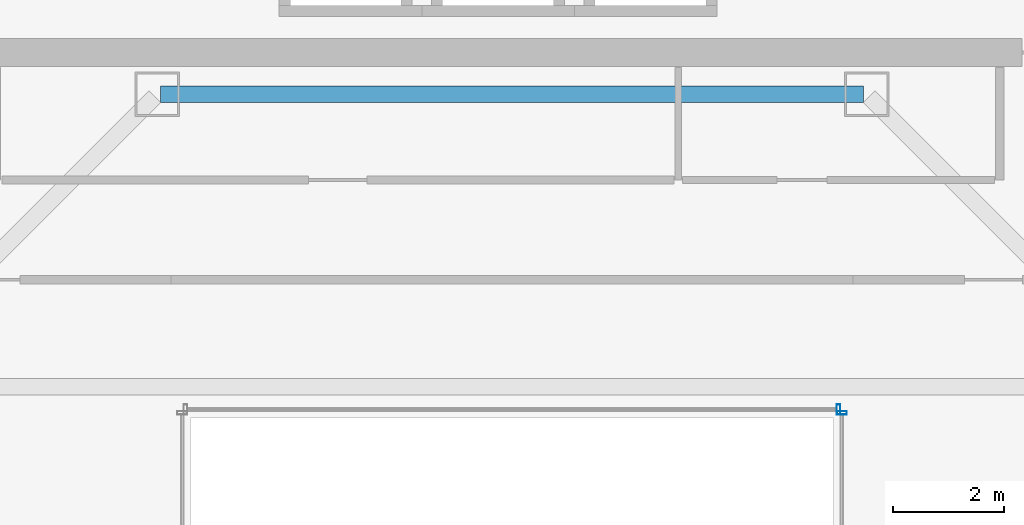
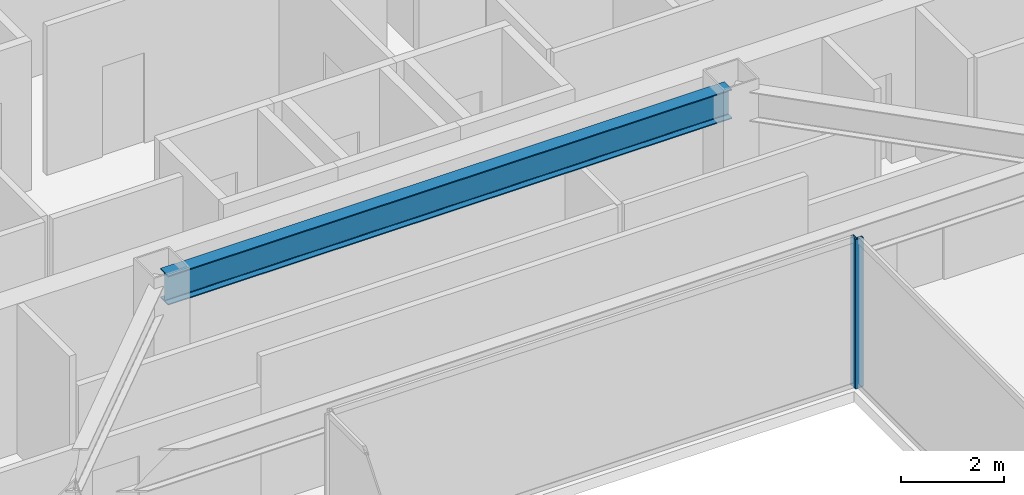
# One storey, part 15 of 36: 2 members, 1 beam, 2 elements without a shape of their own.
"""IFC4 building model written with IfcOpenShell, lengths in metres."""

from ifc_helpers import new_model, si_unit, direction, frame, origin, origin_2d, place, context, subcontext, project, spatial, hollow_rectangle, i_section, extrude, material, material_profile, profile_set, type_object, element, aggregate, save


model = new_model("IFC4")

# Units and contexts
model_context = context("Model", 3, precision=1e-05, world=origin(), true_north=direction((0.0, 1.0)))
body_context = subcontext(model_context, "Body", "Model", "MODEL_VIEW")
ifc_project = project(units=[si_unit("LENGTHUNIT", "METRE"), si_unit("AREAUNIT", "SQUARE_METRE"), si_unit("VOLUMEUNIT", "CUBIC_METRE"), si_unit("PLANEANGLEUNIT", "RADIAN"), si_unit("MASSUNIT", "GRAM", prefix="KILO")], contexts=[model_context])

# Site, building, storey
site_placement = place(None, origin())
site = spatial("IfcSite", under=ifc_project, at=site_placement, CompositionType="ELEMENT")
building_placement = place(site_placement, origin())
building = spatial("IfcBuilding", under=site, at=building_placement, Name="Saevonmaru Cultural Tower", CompositionType="ELEMENT")
storey_placement = place(building_placement, frame((0.0, 0.0, 201.800048828125)))
storey = spatial("IfcBuildingStorey", under=building, at=storey_placement, Name="L46", CompositionType="ELEMENT", Elevation=201.800048828125)

# Beam
ifc_material_1 = material(Name="Steel SM355", Category="steel")
ifc_material_profile_1 = material_profile(ifc_material_1, i_section(OverallWidth=0.300048828125, OverallDepth=0.699951171875, WebThickness=0.012939453125, FlangeThickness=0.02392578125, FilletRadius=0.02587890625, at=origin_2d()), Name="H-700x300x13x24")
ifc_profile_set_1 = profile_set([ifc_material_profile_1], Name="Steel SM355")
beam_type = type_object("IfcBeamType", Name="BM-G-H700", PredefinedType="BEAM", material=ifc_profile_set_1)
beam_placement = place(storey_placement, frame((23.659912109375, 42.39990234375, 3.199951171875), z_axis=(1.0, 0.0, 0.0), x_axis=(0.0, 1.0, 0.0)))
element("IfcBeam", 1, at=beam_placement, inside=storey, type_object=beam_type, Name="L46 Core South Girder 3", PredefinedType="BEAM", context=body_context, shape_type="SweptSolid", body=[
    extrude(i_section(OverallWidth=0.300048828125, OverallDepth=0.699951171875, WebThickness=0.012939453125, FlangeThickness=0.02392578125, FilletRadius=0.02587890625, at=origin_2d()), origin(), (0.0, 0.0, 1.0), 12.68017578125),
])

# Curtain wall, member
ifc_material_2 = material(Name="Satin Bronze Anodised Aluminium", Category="aluminium")
curtain_wall_type = type_object("IfcCurtainWallType", Name="CW-ATR-GLZ", PredefinedType="NOTDEFINED", material=ifc_material_2)
curtain_wall_1_placement = place(storey_placement, origin())
curtain_wall_1 = element("IfcCurtainWall", 2, at=curtain_wall_1_placement, inside=storey, type_object=curtain_wall_type, Name="L46 Vertical Atrium Glazed Smoke Screen 2", PredefinedType="NOTDEFINED")
ifc_material_profile_2 = material_profile(ifc_material_2, hollow_rectangle(XDim=0.06494140625, YDim=0.179931640625, WallThickness=0.00390625, at=origin_2d()), Name="ALU-MULL-180x65x4")
ifc_profile_set_2 = profile_set([ifc_material_profile_2], Name="Satin Bronze Anodised Aluminium")
member_type = type_object("IfcMemberType", Name="ML-CW-INT-180x65", PredefinedType="MULLION", material=ifc_profile_set_2)
member_1_placement = place(storey_placement, frame((35.949951171875, 36.64990234375, 0.0), z_axis=(0.0, 0.0, 1.0), x_axis=(0.0, 1.0, 0.0)))
member_1 = element("IfcMember", 3, at=member_1_placement, type_object=member_type, Name="CW-ATR-L46-2 mullion 2", PredefinedType="MULLION", context=body_context, shape_type="SweptSolid", body=[
    extrude(hollow_rectangle(XDim=0.06494140625, YDim=0.179931640625, WallThickness=0.00390625, at=origin_2d()), origin(), (0.0, 0.0, 1.0), 3.550048828125),
])
aggregate(curtain_wall_1, [member_1])

curtain_wall_2_placement = place(storey_placement, origin())
curtain_wall_2 = element("IfcCurtainWall", 4, at=curtain_wall_2_placement, inside=storey, type_object=curtain_wall_type, Name="L46 Vertical Atrium Glazed Smoke Screen 3", PredefinedType="NOTDEFINED")
member_2_placement = place(storey_placement, frame((35.889892578125, 36.7099609375, 0.0), z_axis=(0.0, 0.0, 1.0), x_axis=(-1.0, 0.0, 0.0)))
member_2 = element("IfcMember", 5, at=member_2_placement, type_object=member_type, Name="CW-ATR-L46-3 mullion 1", PredefinedType="MULLION", context=body_context, shape_type="SweptSolid", body=[
    extrude(hollow_rectangle(XDim=0.06494140625, YDim=0.179931640625, WallThickness=0.00390625, at=origin_2d()), origin(), (0.0, 0.0, 1.0), 3.550048828125),
])
aggregate(curtain_wall_2, [member_2])

save(model, "model.ifc")
